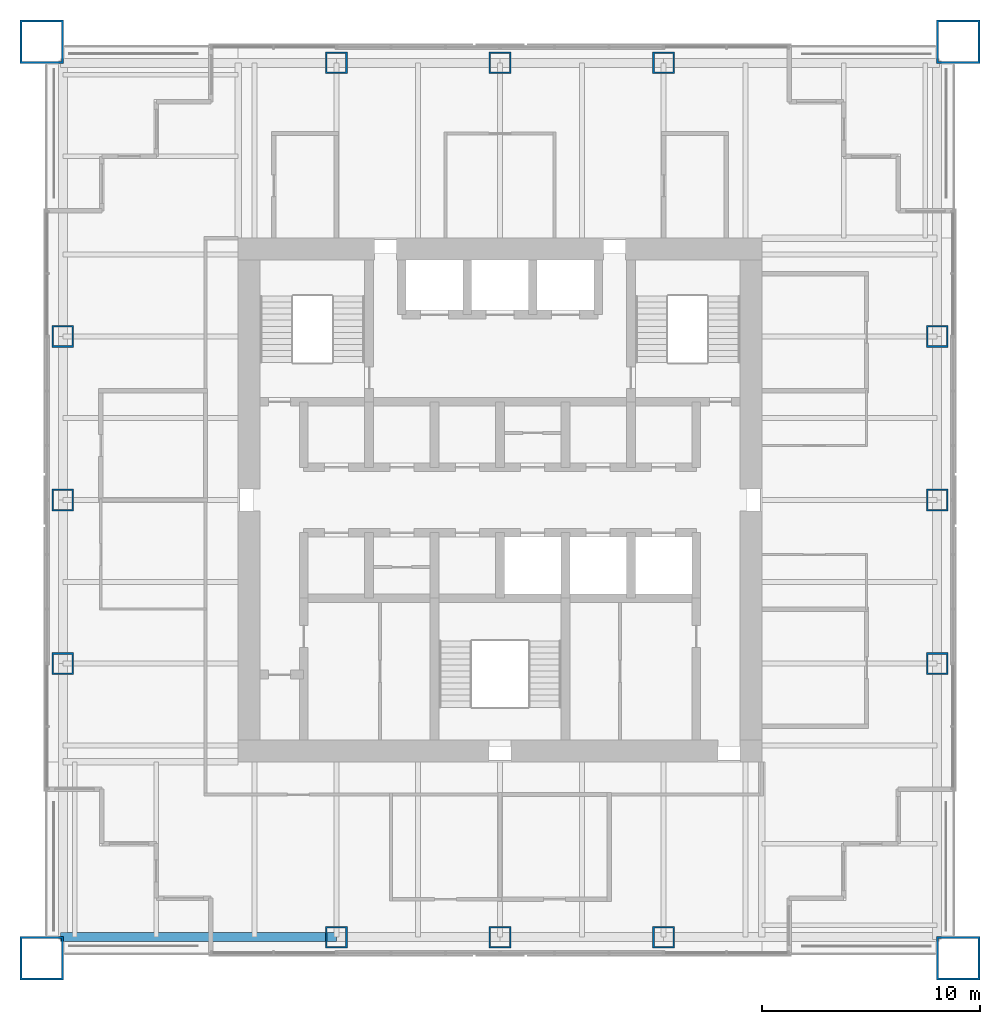
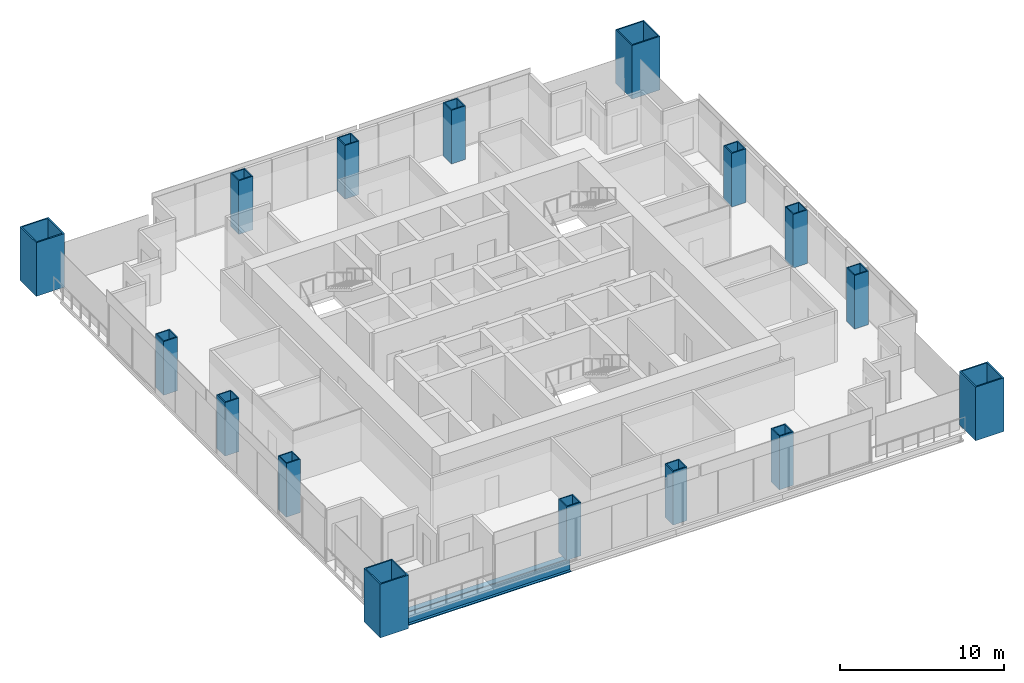
# One storey, part 1 of 14: 16 columns, 1 beam.
"""IFC4 building model written with IfcOpenShell, lengths in metres."""

import ifcopenshell
import ifcopenshell.guid

model = None  # the IFC model being written
_history = None  # IfcOwnerHistory: only IFC2X3 demands one
_inside = {}  # id of a spatial element -> (the spatial element, [elements in it])
_under = {}  # id of a project, library or spatial element -> (it, [spatial elements below it])
_declared = {}  # id of a project -> (the project, [libraries it declares])
_typed = {}  # id of a type object -> (the type object, [elements of that type])
_made_of = {}  # id of a material, layer set ... -> (it, [elements and type objects made of it])


def new_model(schema):
    """Start an empty IFC model of exactly this schema.

    Asked for "IFC4X3", IfcOpenShell would pick the latest addendum, in which some entities
    have other attributes; the version numbers below select the first issue.
    IFC2X3 requires an IfcOwnerHistory on every rooted entity: one is made here for all.
    """
    global model, _history
    if schema == "IFC4X3":
        model = ifcopenshell.file(schema_version=(4, 3, 0, 0))
    else:
        model = ifcopenshell.file(schema=schema)
    _inside.clear()
    _under.clear()
    _declared.clear()
    _typed.clear()
    _made_of.clear()
    _history = None
    if model.schema == "IFC2X3":
        org = make("IfcOrganization", Name="unknown")
        user = make(
            "IfcPersonAndOrganization",
            ThePerson=make("IfcPerson", FamilyName="unknown"),
            TheOrganization=org,
        )
        app = make(
            "IfcApplication",
            ApplicationDeveloper=org,
            Version="unknown",
            ApplicationFullName="unknown",
            ApplicationIdentifier="unknown",
        )
        _history = make(
            "IfcOwnerHistory",
            OwningUser=user,
            OwningApplication=app,
            ChangeAction="ADDED",
            CreationDate=0,
        )
    return model


def make(cls, **values):
    """One entity of the class cls with the attributes given. An attribute that is None is left unset."""
    return model.create_entity(
        cls, **{name: value for name, value in values.items() if value is not None}
    )


def rooted(cls, **values):
    """An entity with a GlobalId (a new one), such as an element, a storey or a relation."""
    return make(cls, GlobalId=ifcopenshell.guid.new(), OwnerHistory=_history, **values)


def si_unit(unit_type, name, prefix=None):
    """IfcSIUnit, for example si_unit("LENGTHUNIT", "METRE", prefix="MILLI")."""
    return make("IfcSIUnit", UnitType=unit_type, Prefix=prefix, Name=name)


def assignment(units):
    """IfcUnitAssignment: the units of a project."""
    return None if units is None else make("IfcUnitAssignment", Units=units)


def point(xyz):
    """IfcCartesianPoint."""
    return None if xyz is None else make("IfcCartesianPoint", Coordinates=xyz)


def direction(xyz):
    """IfcDirection."""
    return None if xyz is None else make("IfcDirection", DirectionRatios=xyz)


def frame(location, z_axis=None, x_axis=None):
    """IfcAxis2Placement3D, a coordinate frame: its origin and axes. An axis left out is left unset."""
    return make(
        "IfcAxis2Placement3D",
        Location=point(location),
        Axis=direction(z_axis),
        RefDirection=direction(x_axis),
    )


def frame_2d(location, x_axis=None):
    """IfcAxis2Placement2D, a coordinate frame in the plane: its origin and x axis."""
    return make(
        "IfcAxis2Placement2D", Location=point(location), RefDirection=direction(x_axis)
    )


def origin():
    """The frame at (0, 0, 0) with its axes left unset."""
    return frame((0.0, 0.0, 0.0))


def origin_2d():
    """The frame at (0, 0) in the plane with its x axis left unset."""
    return frame_2d((0.0, 0.0))


def place(relative_to, where):
    """IfcLocalPlacement: puts the frame where relative to a parent placement (None: the world)."""
    return make(
        "IfcLocalPlacement", PlacementRelTo=relative_to, RelativePlacement=where
    )


def context(
    kind, dimensions, precision=None, world=None, true_north=None, identifier=None
):
    """IfcGeometricRepresentationContext, for example the 3D "Model" context."""
    return make(
        "IfcGeometricRepresentationContext",
        ContextIdentifier=identifier,
        ContextType=kind,
        CoordinateSpaceDimension=dimensions,
        Precision=precision,
        WorldCoordinateSystem=world,
        TrueNorth=true_north,
    )


def subcontext(parent, identifier, kind, view, scale=None):
    """IfcGeometricRepresentationSubContext, for example "Body" below "Model"."""
    return make(
        "IfcGeometricRepresentationSubContext",
        ContextIdentifier=identifier,
        ContextType=kind,
        ParentContext=parent,
        TargetScale=scale,
        TargetView=view,
    )


def project(units=None, contexts=None):
    """IfcProject with its units and contexts."""
    return rooted(
        "IfcProject",
        Name="project",
        RepresentationContexts=contexts,
        UnitsInContext=assignment(units),
    )


def spatial(cls, under=None, at=None, **own):
    """A site, building, storey or space (cls), placed at a placement, below another one or the project."""
    s = rooted(cls, ObjectPlacement=at, **own)
    if under is not None:
        _under.setdefault(under.id(), (under, []))[1].append(s)
    return s


def profile(cls, at=None, kind="AREA", **sizes):
    """A parametric profile (cls). Its sizes go by their IFC names, for example OverallWidth=200.0."""
    return make(cls, ProfileType=kind, Position=at, **sizes)


def hollow_rectangle(**sizes):
    """IfcRectangleHollowProfileDef."""
    return profile("IfcRectangleHollowProfileDef", **sizes)


def i_section(**sizes):
    """IfcIShapeProfileDef."""
    return profile("IfcIShapeProfileDef", **sizes)


def extrude(swept, where, along, depth):
    """IfcExtrudedAreaSolid: the profile swept, set in the frame where, extruded along a direction by depth."""
    return make(
        "IfcExtrudedAreaSolid",
        SweptArea=swept,
        Position=where,
        ExtrudedDirection=direction(along),
        Depth=depth,
    )


def shape(context_of_items, identifier, shape_type, items):
    """IfcShapeRepresentation: the items that make up one representation, for example the "Body"."""
    return make(
        "IfcShapeRepresentation",
        ContextOfItems=context_of_items,
        RepresentationIdentifier=identifier,
        RepresentationType=shape_type,
        Items=items,
    )


def material(Name=None, Category=None):
    """IfcMaterial."""
    return make("IfcMaterial", Name=Name, Category=Category)


def material_profile(
    of_material, cross_section, Name=None, Category=None, Priority=None
):
    """IfcMaterialProfile: a cross section and its material."""
    return make(
        "IfcMaterialProfile",
        Name=Name,
        Material=of_material,
        Profile=cross_section,
        Priority=Priority,
        Category=Category,
    )


def profile_set(profiles, Name=None, composite=None):
    """IfcMaterialProfileSet."""
    return make(
        "IfcMaterialProfileSet",
        Name=Name,
        MaterialProfiles=profiles,
        CompositeProfile=composite,
    )


def made_of(thing, what):
    """Note that an element or type object is made of a material, layer set ...; save() writes the relation."""
    if what is not None:
        _made_of.setdefault(what.id(), (what, []))[1].append(thing)
    return thing


def type_object(cls, material=None, **own):
    """A type object (cls), such as IfcWallType, which elements share."""
    return made_of(rooted(cls, **own), material)


def element(
    cls,
    number,
    at=None,
    inside=None,
    cuts=None,
    type_object=None,
    material=None,
    context=None,
    identifier="Body",
    shape_type=None,
    held_by="IfcProductDefinitionShape",
    body=None,
    shapes=None,
    **own,
):
    """One element of the class cls, such as IfcWall. Its Tag is "e" and its number.

    at: its placement. inside: the storey or other place that contains it. cuts: it is an
    opening in that element (IfcRelVoidsElement). A single representation is given by context,
    identifier, shape_type and body (its items); several are given by shapes. held_by: the class
    of the entity that holds the representations. save() writes the other relations.
    """
    e = rooted(cls, Tag="e%d" % number, ObjectPlacement=at, **own)
    if body is not None:
        shapes = [shape(context, identifier, shape_type, body)]
    if shapes is not None:
        e.Representation = make(held_by, Representations=shapes)
    if inside is not None:
        _inside.setdefault(inside.id(), (inside, []))[1].append(e)
    if cuts is not None:
        rooted(
            "IfcRelVoidsElement", RelatingBuildingElement=cuts, RelatedOpeningElement=e
        )
    if type_object is not None:
        _typed.setdefault(type_object.id(), (type_object, []))[1].append(e)
    return made_of(e, material)


def aggregate(whole, parts):
    """IfcRelAggregates: a whole, such as a stair, and the parts it consists of."""
    return rooted("IfcRelAggregates", RelatingObject=whole, RelatedObjects=parts)


def save(model, path):
    """Write the relations noted so far, then the file.

    IfcRelAggregates (storeys below a building ...), IfcRelContainedInSpatialStructure (elements
    in a storey), IfcRelDefinesByType, IfcRelAssociatesMaterial and IfcRelDeclares: one each for
    every whole, place, type object, material and project.
    """
    for whole, parts in _under.values():
        aggregate(whole, parts)
    for where, things in _inside.values():
        rooted(
            "IfcRelContainedInSpatialStructure",
            RelatedElements=things,
            RelatingStructure=where,
        )
    for kind, things in _typed.values():
        rooted("IfcRelDefinesByType", RelatedObjects=things, RelatingType=kind)
    for what, things in _made_of.values():
        rooted("IfcRelAssociatesMaterial", RelatedObjects=things, RelatingMaterial=what)
    for by, libraries in _declared.values():
        rooted("IfcRelDeclares", RelatingContext=by, RelatedDefinitions=libraries)
    model.write(path)


model = new_model("IFC4")

# Units and contexts
model_context = context("Model", 3, precision=1e-05, world=origin(), true_north=direction((0.0, 1.0)))
body_context = subcontext(model_context, "Body", "Model", "MODEL_VIEW")
ifc_project = project(units=[si_unit("LENGTHUNIT", "METRE"), si_unit("AREAUNIT", "SQUARE_METRE"), si_unit("VOLUMEUNIT", "CUBIC_METRE"), si_unit("PLANEANGLEUNIT", "RADIAN"), si_unit("MASSUNIT", "GRAM", prefix="KILO")], contexts=[model_context])

# Site, building, storey
site_placement = place(None, origin())
site = spatial("IfcSite", under=ifc_project, at=site_placement, CompositionType="ELEMENT")
building_placement = place(site_placement, origin())
building = spatial("IfcBuilding", under=site, at=building_placement, Name="Tarangal Relay Tower", CompositionType="ELEMENT")
storey_placement = place(building_placement, frame((0.0, 0.0, 311.89990234375)))
storey = spatial("IfcBuildingStorey", under=building, at=storey_placement, Name="L69", CompositionType="ELEMENT", Elevation=311.89990234375)

# Columns
ifc_material_1 = material(Name="Steel ASTM A572 Grade 50", Category="steel")
ifc_material_profile_1 = material_profile(ifc_material_1, hollow_rectangle(XDim=2.0, YDim=2.0, WallThickness=0.094970703125, at=origin_2d()), Name="BOX2000X2000X95")
ifc_profile_set_1 = profile_set([ifc_material_profile_1], Name="Steel ASTM A572 Grade 50")
column_type_1 = type_object("IfcColumnType", Name="Mega column BOX2000X2000X95", PredefinedType="COLUMN", material=ifc_profile_set_1)
for number, where, z_axis, x_axis, name in (
    (1, (21.0, 21.0, 0.0), (0.0, 0.0, 1.0), (1.0, 0.0, 0.0), "Mega column MC4 NE L69"),
    (2, (21.0, -21.0, 0.0), (0.0, 0.0, 1.0), (1.0, 0.0, 0.0), "Mega column MC4 SE L69"),
    (3, (-21.0, -21.0, 0.0), (0.0, 0.0, 1.0), (1.0, 0.0, 0.0), "Mega column MC4 SW L69"),
    (4, (-21.0, 21.0, 0.0), (0.0, 0.0, 1.0), (1.0, 0.0, 0.0), "Mega column MC4 NW L69"),
):
    element("IfcColumn", number, at=place(storey_placement, frame(where, z_axis=z_axis, x_axis=x_axis)), inside=storey, type_object=column_type_1, Name=name, PredefinedType="COLUMN", context=body_context, shape_type="SweptSolid", body=[
        extrude(hollow_rectangle(XDim=2.0, YDim=2.0, WallThickness=0.094970703125, at=origin_2d()), origin(), (0.0, 0.0, 1.0), 4.0),
    ])
ifc_material_profile_2 = material_profile(ifc_material_1, hollow_rectangle(XDim=1.0, YDim=1.0, WallThickness=0.074951171875, at=origin_2d()), Name="BOX1000X1000X75")
ifc_profile_set_2 = profile_set([ifc_material_profile_2], Name="Steel ASTM A572 Grade 50")
column_type_2 = type_object("IfcColumnType", Name="Perimeter column BOX1000X1000X75", PredefinedType="COLUMN", material=ifc_profile_set_2)
for number, where, z_axis, x_axis, name in (
    (5, (-7.5, 20.0400390625, 0.0), (0.0, 0.0, 1.0), (1.0, 0.0, 0.0), "Perimeter column PC5 N L69"),
    (6, (0.0, 20.0400390625, 0.0), (0.0, 0.0, 1.0), (1.0, 0.0, 0.0), "Perimeter column PC5 N L69"),
    (7, (7.5, 20.0400390625, 0.0), (0.0, 0.0, 1.0), (1.0, 0.0, 0.0), "Perimeter column PC5 N L69"),
    (8, (20.0400390625, 7.5, 0.0), (0.0, 0.0, 1.0), (1.0, 0.0, 0.0), "Perimeter column PC5 E L69"),
    (9, (20.0400390625, 0.0, 0.0), (0.0, 0.0, 1.0), (1.0, 0.0, 0.0), "Perimeter column PC5 E L69"),
    (10, (20.0400390625, -7.5, 0.0), (0.0, 0.0, 1.0), (1.0, 0.0, 0.0), "Perimeter column PC5 E L69"),
    (11, (7.5, -20.0400390625, 0.0), (0.0, 0.0, 1.0), (1.0, 0.0, 0.0), "Perimeter column PC5 S L69"),
    (12, (0.0, -20.0400390625, 0.0), (0.0, 0.0, 1.0), (1.0, 0.0, 0.0), "Perimeter column PC5 S L69"),
    (13, (-7.5, -20.0400390625, 0.0), (0.0, 0.0, 1.0), (1.0, 0.0, 0.0), "Perimeter column PC5 S L69"),
    (14, (-20.0400390625, -7.5, 0.0), (0.0, 0.0, 1.0), (1.0, 0.0, 0.0), "Perimeter column PC5 W L69"),
    (15, (-20.0400390625, 0.0, 0.0), (0.0, 0.0, 1.0), (1.0, 0.0, 0.0), "Perimeter column PC5 W L69"),
    (16, (-20.0400390625, 7.5, 0.0), (0.0, 0.0, 1.0), (1.0, 0.0, 0.0), "Perimeter column PC5 W L69"),
):
    element("IfcColumn", number, at=place(storey_placement, frame(where, z_axis=z_axis, x_axis=x_axis)), inside=storey, type_object=column_type_2, Name=name, PredefinedType="COLUMN", context=body_context, shape_type="SweptSolid", body=[
        extrude(hollow_rectangle(XDim=1.0, YDim=1.0, WallThickness=0.074951171875, at=origin_2d()), origin(), (0.0, 0.0, 1.0), 4.0),
    ])

# Beam
ifc_material_2 = material(Name="Steel ASTM A992", Category="steel")
ifc_material_profile_3 = material_profile(ifc_material_2, i_section(OverallWidth=0.41162109375, OverallDepth=1.049072265625, WebThickness=0.033935546875, FlangeThickness=0.059814453125, at=origin_2d()), Name="W40X431")
ifc_profile_set_3 = profile_set([ifc_material_profile_3], Name="Steel ASTM A992")
beam_type = type_object("IfcBeamType", Name="Edge girder W40X431", PredefinedType="SPANDREL", material=ifc_profile_set_3)
beam_placement = place(storey_placement, frame((-7.5, -20.0400390625, -0.67431640625), z_axis=(-1.0, 0.0, 0.0), x_axis=(0.0, -1.0, 0.0)))
element("IfcBeam", 17, at=beam_placement, inside=storey, type_object=beam_type, Name="Edge girder EG1 S L69", PredefinedType="SPANDREL", context=body_context, shape_type="SweptSolid", body=[
    extrude(i_section(OverallWidth=0.41162109375, OverallDepth=1.049072265625, WebThickness=0.033935546875, FlangeThickness=0.059814453125, at=origin_2d()), origin(), (0.0, 0.0, 1.0), 12.64990234375),
])

save(model, "model.ifc")
